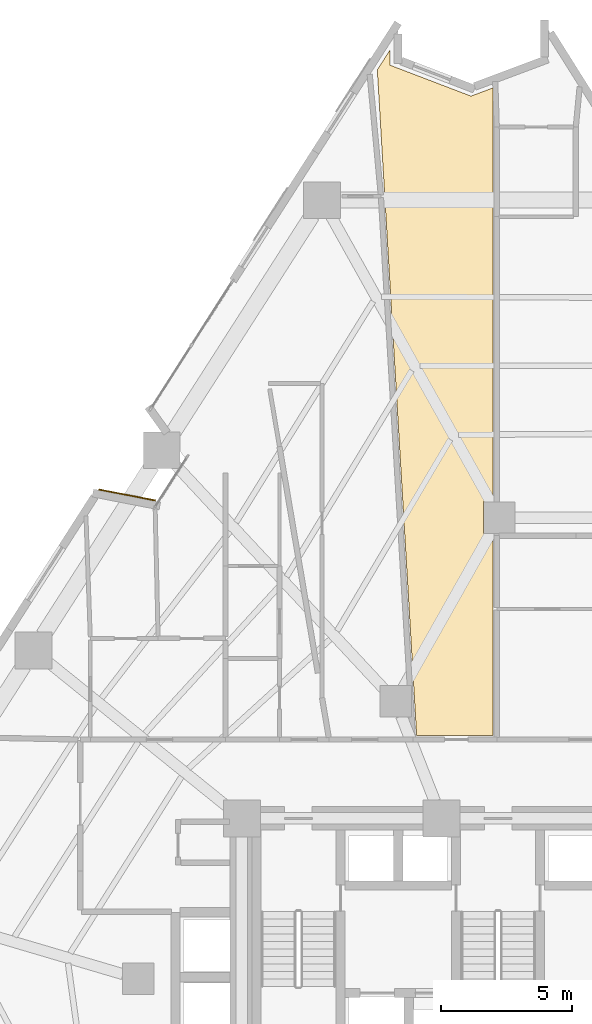
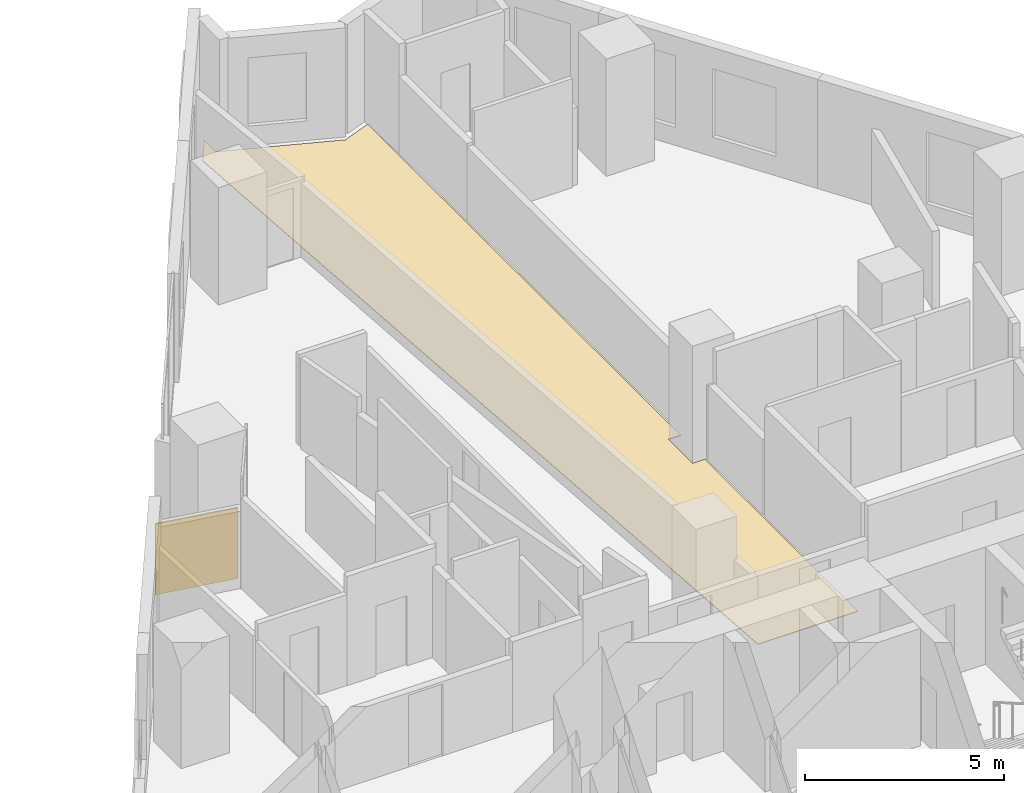
# One storey, part 12 of 14: 2 coverings.
"""IFC4 building model written with IfcOpenShell, lengths in metres."""

from ifc_helpers import new_model, si_unit, direction, frame, origin, origin_2d, place, context, subcontext, project, spatial, polyline, rectangle, outline, extrude, material, layer, layer_set, type_object, element, save


model = new_model("IFC4")

# Units and contexts
model_context = context("Model", 3, precision=1e-05, world=origin(), true_north=direction((0.0, 1.0)))
body_context = subcontext(model_context, "Body", "Model", "MODEL_VIEW")
ifc_project = project(units=[si_unit("LENGTHUNIT", "METRE"), si_unit("AREAUNIT", "SQUARE_METRE"), si_unit("VOLUMEUNIT", "CUBIC_METRE"), si_unit("PLANEANGLEUNIT", "RADIAN"), si_unit("MASSUNIT", "GRAM", prefix="KILO")], contexts=[model_context])

# Site, building, storey
site_placement = place(None, origin())
site = spatial("IfcSite", under=ifc_project, at=site_placement, CompositionType="ELEMENT")
building_placement = place(site_placement, origin())
building = spatial("IfcBuilding", under=site, at=building_placement, Name="Almagre Mirador Tower", CompositionType="ELEMENT")
storey_placement = place(building_placement, frame((0.0, 0.0, 67.800048828125)))
storey = spatial("IfcBuildingStorey", under=building, at=storey_placement, Name="L16", CompositionType="ELEMENT", Elevation=67.800048828125)

# Coverings
ifc_material_1 = material(Name="Almagre terracotta architectural cladding", Category="masonry")
ifc_layer_1 = layer(ifc_material_1, 0.044921875)
ifc_layer_set_1 = layer_set([ifc_layer_1], Name="Almagre terracotta architectural cladding")
covering_type_1 = type_object("IfcCoveringType", Name="COV-CLAD-ALMAGRE", PredefinedType="CLADDING", material=ifc_layer_set_1)
covering_1_placement = place(storey_placement, frame((23.184814453125, 27.057373046875, 0.10009765625), z_axis=(0.0, 0.0, 1.0), x_axis=(0.981760154029, -0.190123643878, 0.0)))
element("IfcCovering", 1, at=covering_1_placement, inside=storey, type_object=covering_type_1, Name="L16 almagre terracotta pier cladding", PredefinedType="CLADDING", context=body_context, shape_type="SweptSolid", body=[
    extrude(rectangle(XDim=2.194091796875, YDim=0.044921875, at=origin_2d()), origin(), (0.0, 0.0, 1.0), 2.175048828125),
])
ifc_material_2 = material(Name="Engineered white oak flooring", Category="wood")
ifc_layer_2 = layer(ifc_material_2, 0.01806640625)
ifc_layer_set_2 = layer_set([ifc_layer_2], Name="Engineered white oak flooring")
covering_type_2 = type_object("IfcCoveringType", Name="COV-FLR-OAK-18", PredefinedType="FLOORING", material=ifc_layer_set_2)
covering_2_placement = place(storey_placement, origin())
element("IfcCovering", 2, at=covering_2_placement, inside=storey, type_object=covering_type_2, Name="L16 L16 Residents Reading Gallery L finish flooring", PredefinedType="FLOORING", context=body_context, shape_type="SweptSolid", body=[
    extrude(outline(polyline([(37.10009765625, 42.552978515625), (37.10009765625, 26.804931640625), (36.7451171875, 26.804931640625), (36.7451171875, 25.594970703125), (37.10009765625, 25.594970703125), (37.10009765625, 17.89990234375), (34.200927734375, 17.89990234375), (32.702880859375, 43.239990234375), (33.18994140625, 43.9990234375), (33.18994140625, 43.4169921875), (36.27001953125, 42.239990234375), (37.10009765625, 42.552978515625)])), origin(), (0.0, 0.0, 1.0), 0.01806640625),
])

save(model, "model.ifc")
